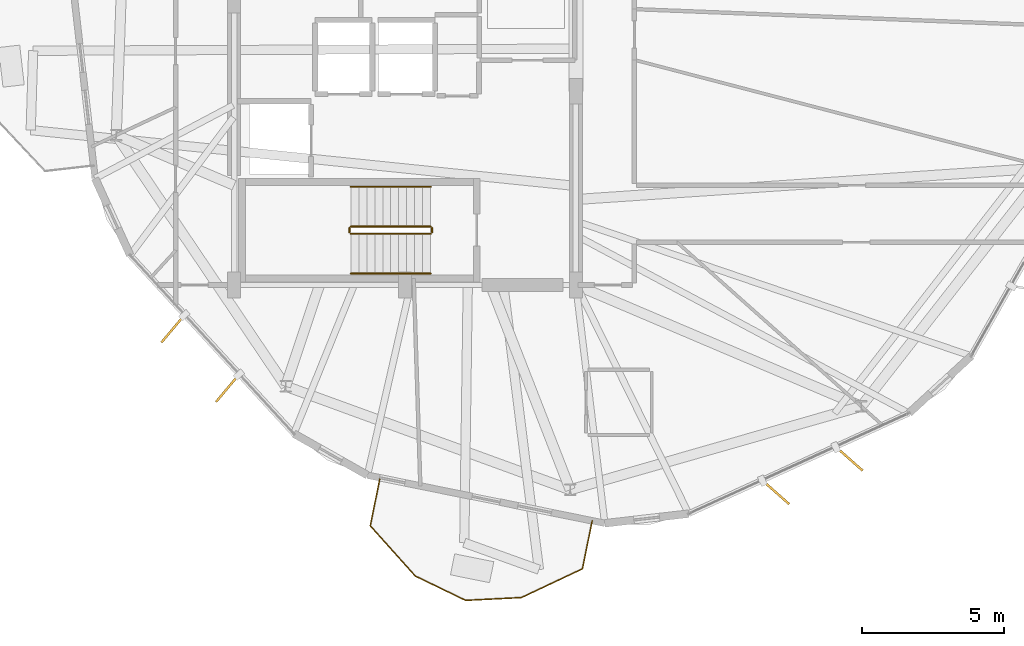
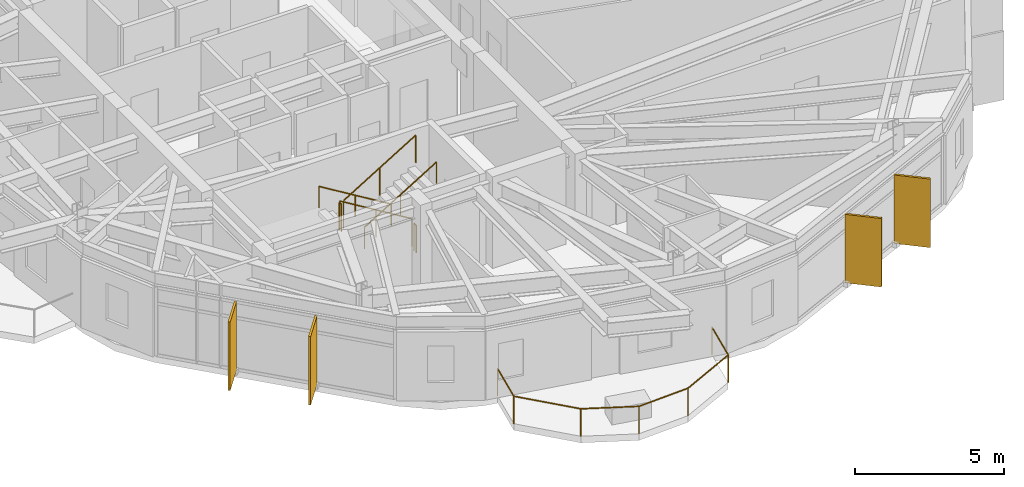
# One storey, part 21 of 23: 7 railings, 4 shading devices.
"""IFC4 building model written with IfcOpenShell, lengths in metres."""

from ifc_helpers import new_model, si_unit, direction, frame, origin, origin_2d, place, context, subcontext, project, spatial, rectangle, circle, extrude, material, layer, layer_set, type_object, element, save


model = new_model("IFC4")

# Units and contexts
model_context = context("Model", 3, precision=1e-05, world=origin(), true_north=direction((0.0, 1.0)))
body_context = subcontext(model_context, "Body", "Model", "MODEL_VIEW")
ifc_project = project(units=[si_unit("LENGTHUNIT", "METRE"), si_unit("AREAUNIT", "SQUARE_METRE"), si_unit("VOLUMEUNIT", "CUBIC_METRE"), si_unit("PLANEANGLEUNIT", "RADIAN"), si_unit("MASSUNIT", "GRAM", prefix="KILO")], contexts=[model_context])

# Site, building, storey
site_placement = place(None, origin())
site = spatial("IfcSite", under=ifc_project, at=site_placement, CompositionType="ELEMENT")
building_placement = place(site_placement, origin())
building = spatial("IfcBuilding", under=site, at=building_placement, Name="Soratama Intermodal Tower", CompositionType="ELEMENT")
storey_placement = place(building_placement, frame((0.0, 0.0, 261.25)))
storey = spatial("IfcBuildingStorey", under=building, at=storey_placement, Name="L66", CompositionType="ELEMENT", Elevation=261.25)

# Railings
ifc_material_1 = material(Name="Laminated glass and stainless steel balustrade", Category="steel")
railing_type_1 = type_object("IfcRailingType", Name="RL-BAL-1150", PredefinedType="BALUSTRADE", material=ifc_material_1)
railing_1_placement = place(storey_placement, frame((45.171630859375, 6.7216796875, 0.0)))
element("IfcRailing", 1, at=railing_1_placement, inside=storey, type_object=railing_type_1, Name="L66 Balcony Balustrade 3", PredefinedType="BALUSTRADE", context=body_context, shape_type="SweptSolid", body=[
    extrude(circle(Radius=0.02392578125, at=origin_2d()), frame((0.0, 0.0, 1.1259765625), z_axis=(-0.198708485999, -0.980058639874, 0.0), x_axis=(0.980058639874, -0.198708485999, 0.0)), (0.0, 0.0, 1.0), 1.719970703125),
    extrude(circle(Radius=0.02392578125, at=origin_2d()), frame((-0.341796875, -1.685791015625, 1.1259765625), z_axis=(-0.90465280477, -0.426149390263, 0.0), x_axis=(0.426149390263, -0.90465280477, 0.0)), (0.0, 0.0, 1.0), 2.368896484375),
    extrude(circle(Radius=0.02392578125, at=origin_2d()), frame((-2.48486328125, -2.6953125, 1.1259765625), z_axis=(-0.998759160097, -0.04980100524, 0.0), x_axis=(0.04980100524, -0.998759160097, 0.0)), (0.0, 0.0, 1.0), 1.9609375),
    extrude(circle(Radius=0.02392578125, at=origin_2d()), frame((-4.443359375, -2.79296875, 1.1259765625), z_axis=(-0.900469252712, 0.4349196764, 0.0), x_axis=(-0.4349196764, -0.900469252712, 0.0)), (0.0, 0.0, 1.0), 1.960693359375),
    extrude(circle(Radius=0.02392578125, at=origin_2d()), frame((-6.208984375, -1.940185546875, 1.1259765625), z_axis=(-0.667351935857, 0.744742501612, 0.0), x_axis=(-0.744742501612, -0.667351935857, 0.0)), (0.0, 0.0, 1.0), 2.369140625),
    extrude(circle(Radius=0.02392578125, at=origin_2d()), frame((-7.7900390625, -0.17578125, 1.1259765625), z_axis=(0.198708485999, 0.980058639874, 0.0), x_axis=(-0.980058639874, 0.198708485999, 0.0)), (0.0, 0.0, 1.0), 1.719970703125),
    extrude(circle(Radius=0.02099609375, at=origin_2d()), origin(), (0.0, 0.0, 1.0), 1.101806640625),
    extrude(circle(Radius=0.02099609375, at=origin_2d()), frame((-0.341796875, -1.685791015625, 0.0)), (0.0, 0.0, 1.0), 1.101806640625),
    extrude(circle(Radius=0.02099609375, at=origin_2d()), frame((-2.48486328125, -2.6953125, 0.0)), (0.0, 0.0, 1.0), 1.101806640625),
    extrude(circle(Radius=0.02099609375, at=origin_2d()), frame((-4.443359375, -2.79296875, 0.0)), (0.0, 0.0, 1.0), 1.101806640625),
    extrude(circle(Radius=0.02099609375, at=origin_2d()), frame((-6.208984375, -1.940185546875, 0.0)), (0.0, 0.0, 1.0), 1.101806640625),
    extrude(circle(Radius=0.02099609375, at=origin_2d()), frame((-7.7900390625, -0.17578125, 0.0)), (0.0, 0.0, 1.0), 1.101806640625),
    extrude(circle(Radius=0.02099609375, at=origin_2d()), frame((-7.4482421875, 1.510009765625, 0.0)), (0.0, 0.0, 1.0), 1.101806640625),
])
ifc_material_2 = material(Name="Painted steel stair guardrail", Category="steel")
railing_type_2 = type_object("IfcRailingType", Name="RL-STAIR-GUARD", PredefinedType="GUARDRAIL", material=ifc_material_2)
railing_2_placement = place(storey_placement, frame((39.5, 17.050048828125, 0.17041015625)))
element("IfcRailing", 2, at=railing_2_placement, inside=storey, type_object=railing_type_2, Name="L66 ST-1 stair guard 1", PredefinedType="GUARDRAIL", context=body_context, shape_type="SweptSolid", body=[
    extrude(circle(Radius=0.02392578125, at=origin_2d()), frame((0.0, 0.0, 1.1259765625), z_axis=(-0.854169791009, 0.0, 0.51999420009), x_axis=(0.0, -1.0, 0.0)), (0.0, 0.0, 1.0), 3.278076171875),
    extrude(circle(Radius=0.02099609375, at=origin_2d()), origin(), (0.0, 0.0, 1.0), 1.101806640625),
    extrude(circle(Radius=0.02099609375, at=origin_2d()), frame((-1.39990234375, 0.0, 0.852294921875)), (0.0, 0.0, 1.0), 1.101806640625),
    extrude(circle(Radius=0.02099609375, at=origin_2d()), frame((-2.800048828125, 0.0, 1.70458984375)), (0.0, 0.0, 1.0), 1.101806640625),
])
railing_3_placement = place(storey_placement, frame((36.64990234375, 17.0, 1.875)))
element("IfcRailing", 3, at=railing_3_placement, inside=storey, type_object=railing_type_2, Name="L66 ST-1 stair guard 2", PredefinedType="GUARDRAIL", context=body_context, shape_type="SweptSolid", body=[
    extrude(circle(Radius=0.02392578125, at=origin_2d()), frame((0.0, 0.0, 1.1259765625), z_axis=(0.0, -1.0, 0.0), x_axis=(1.0, 0.0, 0.0)), (0.0, 0.0, 1.0), 0.14990234375),
    extrude(circle(Radius=0.02099609375, at=origin_2d()), origin(), (0.0, 0.0, 1.0), 1.101806640625),
    extrude(circle(Radius=0.02099609375, at=origin_2d()), frame((0.0, -0.14990234375, 0.0)), (0.0, 0.0, 1.0), 1.101806640625),
])
railing_4_placement = place(storey_placement, frame((36.699951171875, 16.800048828125, 2.04541015625)))
element("IfcRailing", 4, at=railing_4_placement, inside=storey, type_object=railing_type_2, Name="L66 ST-1 stair guard 3", PredefinedType="GUARDRAIL", context=body_context, shape_type="SweptSolid", body=[
    extrude(circle(Radius=0.02392578125, at=origin_2d()), frame((0.0, 0.0, 1.1259765625), z_axis=(0.854169791009, 0.0, 0.51999420009), x_axis=(0.0, 1.0, 0.0)), (0.0, 0.0, 1.0), 3.278076171875),
    extrude(circle(Radius=0.02099609375, at=origin_2d()), origin(), (0.0, 0.0, 1.0), 1.101806640625),
    extrude(circle(Radius=0.02099609375, at=origin_2d()), frame((1.39990234375, 0.0, 0.852294921875)), (0.0, 0.0, 1.0), 1.101806640625),
    extrude(circle(Radius=0.02099609375, at=origin_2d()), frame((2.800048828125, 0.0, 1.70458984375)), (0.0, 0.0, 1.0), 1.101806640625),
])
railing_5_placement = place(storey_placement, frame((39.550048828125, 17.0, 0.0)))
element("IfcRailing", 5, at=railing_5_placement, inside=storey, type_object=railing_type_2, Name="L66 ST-1 stair guard 4", PredefinedType="GUARDRAIL", context=body_context, shape_type="SweptSolid", body=[
    extrude(circle(Radius=0.02392578125, at=origin_2d()), frame((0.0, 0.0, 1.1259765625), z_axis=(0.0, -1.0, 0.0), x_axis=(1.0, 0.0, 0.0)), (0.0, 0.0, 1.0), 0.14990234375),
    extrude(circle(Radius=0.02099609375, at=origin_2d()), origin(), (0.0, 0.0, 1.0), 1.101806640625),
    extrude(circle(Radius=0.02099609375, at=origin_2d()), frame((0.0, -0.14990234375, 0.0)), (0.0, 0.0, 1.0), 1.101806640625),
])
ifc_material_3 = material(Name="Brushed stainless steel handrail", Category="steel")
railing_type_3 = type_object("IfcRailingType", Name="RL-STAIR-HAND", PredefinedType="HANDRAIL", material=ifc_material_3)
railing_6_placement = place(storey_placement, frame((39.5, 18.449951171875, 0.17041015625)))
element("IfcRailing", 6, at=railing_6_placement, inside=storey, type_object=railing_type_3, Name="L66 ST-1 stair handrail 1", PredefinedType="HANDRAIL", context=body_context, shape_type="SweptSolid", body=[
    extrude(circle(Radius=0.02392578125, at=origin_2d()), frame((0.0, 0.0, 0.8759765625), z_axis=(-0.854169791009, 0.0, 0.51999420009), x_axis=(0.0, -1.0, 0.0)), (0.0, 0.0, 1.0), 3.278076171875),
    extrude(circle(Radius=0.02099609375, at=origin_2d()), origin(), (0.0, 0.0, 1.0), 0.851806640625),
    extrude(circle(Radius=0.02099609375, at=origin_2d()), frame((-1.39990234375, 0.0, 0.852294921875)), (0.0, 0.0, 1.0), 0.851806640625),
    extrude(circle(Radius=0.02099609375, at=origin_2d()), frame((-2.800048828125, 0.0, 1.70458984375)), (0.0, 0.0, 1.0), 0.851806640625),
])
railing_7_placement = place(storey_placement, frame((36.699951171875, 15.39990234375, 2.04541015625)))
element("IfcRailing", 7, at=railing_7_placement, inside=storey, type_object=railing_type_3, Name="L66 ST-1 stair handrail 2", PredefinedType="HANDRAIL", context=body_context, shape_type="SweptSolid", body=[
    extrude(circle(Radius=0.02392578125, at=origin_2d()), frame((0.0, 0.0, 0.8759765625), z_axis=(0.854169791009, 0.0, 0.51999420009), x_axis=(0.0, 1.0, 0.0)), (0.0, 0.0, 1.0), 3.278076171875),
    extrude(circle(Radius=0.02099609375, at=origin_2d()), origin(), (0.0, 0.0, 1.0), 0.851806640625),
    extrude(circle(Radius=0.02099609375, at=origin_2d()), frame((1.39990234375, 0.0, 0.852294921875)), (0.0, 0.0, 1.0), 0.851806640625),
    extrude(circle(Radius=0.02099609375, at=origin_2d()), frame((2.800048828125, 0.0, 1.70458984375)), (0.0, 0.0, 1.0), 0.851806640625),
])

# Shading devices
ifc_material_4 = material(Name="Champagne anodised aluminium solar fin", Category="aluminium")
ifc_layer = layer(ifc_material_4, 0.080078125)
ifc_layer_set = layer_set([ifc_layer], Name="Champagne anodised aluminium solar fin")
shading_device_type = type_object("IfcShadingDeviceType", Name="SH-FIN-1250", PredefinedType="USERDEFINED", material=ifc_layer_set)
for number, where, z_axis, x_axis, name in (
    (8, (30.453369140625, 13.461181640625, 0.02001953125), (0.0, 0.0, 1.0), (-0.64332225291, -0.765595506068, 0.0), "L66 Solar Fin F05-1"),
    (9, (32.368896484375, 11.373779296875, 0.02001953125), (0.0, 0.0, 1.0), (-0.64332225291, -0.765595506068, 0.0), "L66 Solar Fin F05-2"),
    (10, (51.62060546875, 7.7197265625, 0.02001953125), (0.0, 0.0, 1.0), (0.749418134297, -0.662097017051, 0.0), "L66 Solar Fin F07-1"),
    (11, (54.197998046875, 8.896484375, 0.02001953125), (0.0, 0.0, 1.0), (0.749418134297, -0.662097017051, 0.0), "L66 Solar Fin F07-2"),
):
    element("IfcShadingDevice", number, at=place(storey_placement, frame(where, z_axis=z_axis, x_axis=x_axis)), inside=storey, type_object=shading_device_type, Name=name, ObjectType="FIN", PredefinedType="USERDEFINED", context=body_context, shape_type="SweptSolid", body=[
        extrude(rectangle(XDim=1.25, YDim=0.080078125, at=origin_2d()), origin(), (0.0, 0.0, 1.0), 2.80908203125),
    ])

save(model, "model.ifc")
